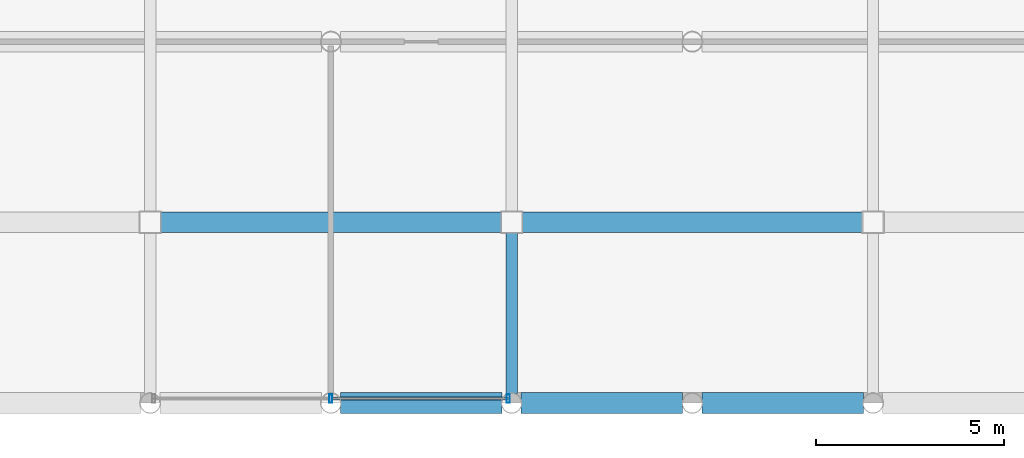
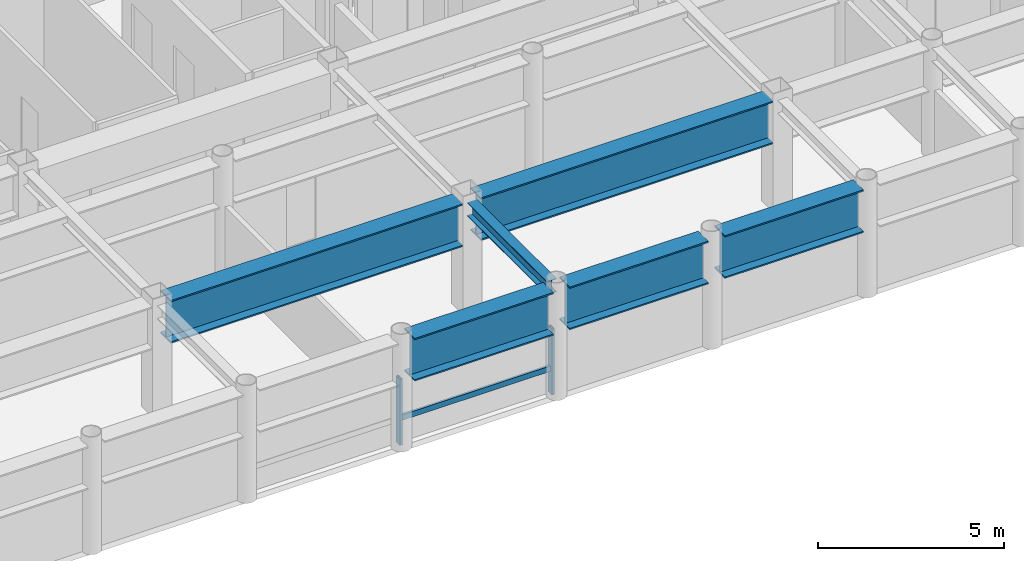
# One storey, part 8 of 21: 6 beams, 3 members, 1 element without a shape of its own.
"""IFC4 building model written with IfcOpenShell, lengths in metres."""

from ifc_helpers import new_model, si_unit, direction, frame, origin, origin_2d, place, context, subcontext, project, spatial, hollow_rectangle, i_section, extrude, material, layer, layer_set, material_profile, profile_set, type_object, element, aggregate, save


model = new_model("IFC4")

# Units and contexts
model_context = context("Model", 3, precision=1e-05, world=origin(), true_north=direction((0.0, 1.0)))
body_context = subcontext(model_context, "Body", "Model", "MODEL_VIEW")
ifc_project = project(units=[si_unit("LENGTHUNIT", "METRE"), si_unit("AREAUNIT", "SQUARE_METRE"), si_unit("VOLUMEUNIT", "CUBIC_METRE"), si_unit("PLANEANGLEUNIT", "RADIAN"), si_unit("MASSUNIT", "GRAM", prefix="KILO")], contexts=[model_context])

# Site, building, storey
site_placement = place(None, origin())
site = spatial("IfcSite", under=ifc_project, at=site_placement, CompositionType="ELEMENT")
building_placement = place(site_placement, origin())
building = spatial("IfcBuilding", under=site, at=building_placement, Name="Kallvorn Hotel Tower", CompositionType="ELEMENT")
storey_placement = place(building_placement, frame((0.0, 0.0, 272.35009765625)))
storey = spatial("IfcBuildingStorey", under=building, at=storey_placement, Name="L68", CompositionType="ELEMENT", Elevation=272.35009765625)

# Beams
ifc_material_1 = material(Name="Structural steel S355JR", Category="steel")
ifc_material_profile_1 = material_profile(ifc_material_1, i_section(OverallWidth=0.300048828125, OverallDepth=0.43994140625, WebThickness=0.011474609375, FlangeThickness=0.02099609375, at=origin_2d()), Name="HE 450 A")
ifc_profile_set_1 = profile_set([ifc_material_profile_1], Name="Structural steel S355JR")
beam_type_1 = type_object("IfcBeamType", Name="BM_HE450A", PredefinedType="BEAM", material=ifc_profile_set_1)
beam_1_placement = place(storey_placement, frame((4.800048828125, -18.945556640625, 3.3798828125), z_axis=(0.0, 1.0, 0.0), x_axis=(-1.0, 0.0, 0.0)))
element("IfcBeam", 1, at=beam_1_placement, inside=storey, type_object=beam_type_1, Name="L69 Primary Y-Girder 114", PredefinedType="BEAM", context=body_context, shape_type="SweptSolid", body=[
    extrude(i_section(OverallWidth=0.300048828125, OverallDepth=0.43994140625, WebThickness=0.011474609375, FlangeThickness=0.02099609375, at=origin_2d()), origin(), (0.0, 0.0, 1.0), 4.2705078125),
])
ifc_material_2 = material(Name="Structural steel S355JR", Category="steel")
ifc_material_profile_2 = material_profile(ifc_material_2, i_section(OverallWidth=0.550048828125, OverallDepth=1.39990234375, WebThickness=0.02490234375, FlangeThickness=0.044921875, at=origin_2d()), Name="PG 1400x550x25x45")
ifc_profile_set_2 = profile_set([ifc_material_profile_2], Name="Structural steel S355JR")
beam_type_2 = type_object("IfcBeamType", Name="BM_PG_1400", PredefinedType="BEAM", material=ifc_profile_set_2)
for number, where, z_axis, x_axis, name in (
    (2, (0.25439453125, -19.199951171875, 2.89990234375), (1.0, 0.0, 0.0), (0.0, 1.0, 0.0), "L69 Primary X-Girder 07"),
    (3, (5.054443359375, -19.199951171875, 2.89990234375), (1.0, 0.0, 0.0), (0.0, 1.0, 0.0), "L69 Primary X-Girder 08"),
    (4, (9.8544921875, -19.199951171875, 2.89990234375), (1.0, 0.0, 0.0), (0.0, 1.0, 0.0), "L69 Primary X-Girder 09"),
):
    element("IfcBeam", number, at=place(storey_placement, frame(where, z_axis=z_axis, x_axis=x_axis)), inside=storey, type_object=beam_type_2, Name=name, PredefinedType="BEAM", context=body_context, shape_type="SweptSolid", body=[
        extrude(i_section(OverallWidth=0.550048828125, OverallDepth=1.39990234375, WebThickness=0.02490234375, FlangeThickness=0.044921875, at=origin_2d()), origin(), (0.0, 0.0, 1.0), 4.291015625),
    ])
beam_2_placement = place(storey_placement, frame((-4.52490234375, -14.39990234375, 2.89990234375), z_axis=(1.0, 0.0, 0.0), x_axis=(0.0, 1.0, 0.0)))
element("IfcBeam", 5, at=beam_2_placement, inside=storey, type_object=beam_type_2, Name="L69 Primary X-Girder 18", PredefinedType="BEAM", context=body_context, shape_type="SweptSolid", body=[
    extrude(i_section(OverallWidth=0.550048828125, OverallDepth=1.39990234375, WebThickness=0.02490234375, FlangeThickness=0.044921875, at=origin_2d()), origin(), (0.0, 0.0, 1.0), 9.0498046875),
])
beam_3_placement = place(storey_placement, frame((5.074951171875, -14.39990234375, 2.89990234375), z_axis=(1.0, 0.0, 0.0), x_axis=(0.0, 1.0, 0.0)))
element("IfcBeam", 6, at=beam_3_placement, inside=storey, type_object=beam_type_2, Name="L69 Primary X-Girder 19", PredefinedType="BEAM", context=body_context, shape_type="SweptSolid", body=[
    extrude(i_section(OverallWidth=0.550048828125, OverallDepth=1.39990234375, WebThickness=0.02490234375, FlangeThickness=0.044921875, at=origin_2d()), origin(), (0.0, 0.0, 1.0), 9.050048828125),
])

# Curtain wall, members
ifc_material_3 = material(Name="Thermally broken black-anodised aluminium AA 6063-T6", Category="aluminium")
ifc_layer = layer(ifc_material_3, 0.22998046875)
ifc_layer_set = layer_set([ifc_layer], Name="CW_SYS_5_HOTEL_HIGH")
curtain_wall_type = type_object("IfcCurtainWallType", Name="CW_SYS_5_HOTEL_HIGH", PredefinedType="USERDEFINED", material=ifc_layer_set)
curtain_wall_placement = place(storey_placement, origin())
curtain_wall = element("IfcCurtainWall", 7, at=curtain_wall_placement, inside=storey, type_object=curtain_wall_type, Name="L68 Dark-Glass Curtain Wall CW-L68-SC", ObjectType="UNITISED CURTAIN WALL", PredefinedType="USERDEFINED")
ifc_material_4 = material(Name="Thermally broken black-anodised aluminium AA 6063-T6", Category="aluminium")
ifc_material_profile_3 = material_profile(ifc_material_4, hollow_rectangle(XDim=0.080078125, YDim=0.219970703125, WallThickness=0.0048828125, at=origin_2d()), Name="MUL 220x80")
ifc_profile_set_3 = profile_set([ifc_material_profile_3], Name="Thermally broken black-anodised aluminium AA 6063-T6")
member_type_1 = type_object("IfcMemberType", Name="CW_MULLION_220x80", PredefinedType="MULLION", material=ifc_profile_set_3)
member_1_placement = place(storey_placement, frame((0.0, -19.080078125, 0.02001953125), z_axis=(0.0, 0.0, 1.0), x_axis=(1.0, 0.0, 0.0)))
member_1 = element("IfcMember", 8, at=member_1_placement, type_object=member_type_1, Name="CW-L68-SC Mullion 01", PredefinedType="MULLION", context=body_context, shape_type="SweptSolid", body=[
    extrude(hollow_rectangle(XDim=0.080078125, YDim=0.219970703125, WallThickness=0.0048828125, at=origin_2d()), origin(), (0.0, 0.0, 1.0), 2.159912109375),
])
member_2_placement = place(storey_placement, frame((4.7099609375, -19.080078125, 0.02001953125), z_axis=(0.0, 0.0, 1.0), x_axis=(1.0, 0.0, 0.0)))
member_2 = element("IfcMember", 9, at=member_2_placement, type_object=member_type_1, Name="CW-L68-SC Mullion 02", PredefinedType="MULLION", context=body_context, shape_type="SweptSolid", body=[
    extrude(hollow_rectangle(XDim=0.080078125, YDim=0.219970703125, WallThickness=0.0048828125, at=origin_2d()), origin(), (0.0, 0.0, 1.0), 2.159912109375),
])
ifc_material_5 = material(Name="Thermally broken black-anodised aluminium AA 6063-T6", Category="aluminium")
ifc_material_profile_4 = material_profile(ifc_material_5, hollow_rectangle(XDim=0.070068359375, YDim=0.179931640625, WallThickness=0.00390625, at=origin_2d()), Name="TRN 180x70")
ifc_profile_set_4 = profile_set([ifc_material_profile_4], Name="Thermally broken black-anodised aluminium AA 6063-T6")
member_type_2 = type_object("IfcMemberType", Name="CW_TRANSOM_180x70", PredefinedType="USERDEFINED", material=ifc_profile_set_4)
member_3_placement = place(storey_placement, frame((0.0400390625, -19.080078125, 0.849853515625), z_axis=(1.0, 0.0, 0.0), x_axis=(0.0, 1.0, 0.0)))
member_3 = element("IfcMember", 10, at=member_3_placement, type_object=member_type_2, Name="CW-L68-SC Transom 01M", ObjectType="TRANSOM", PredefinedType="USERDEFINED", context=body_context, shape_type="SweptSolid", body=[
    extrude(hollow_rectangle(XDim=0.070068359375, YDim=0.179931640625, WallThickness=0.00390625, at=origin_2d()), origin(), (0.0, 0.0, 1.0), 4.669921875),
])
aggregate(curtain_wall, [member_1, member_2, member_3])

save(model, "model.ifc")
